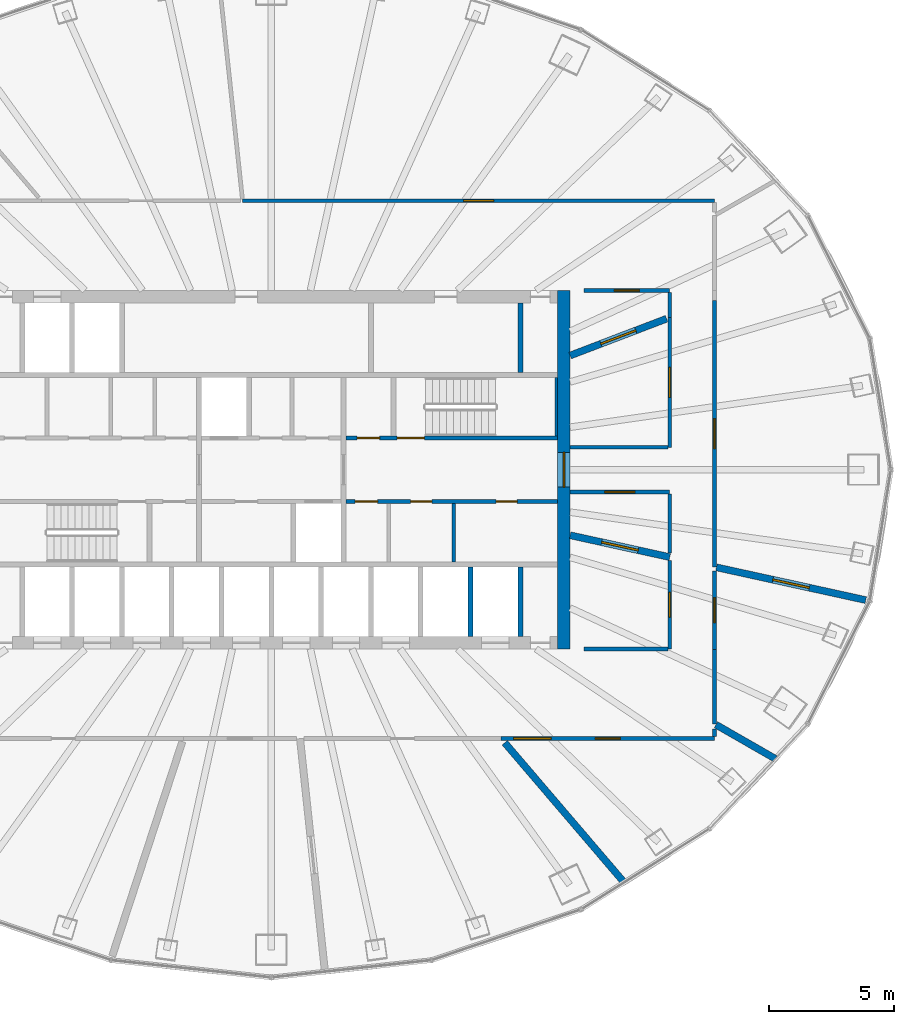
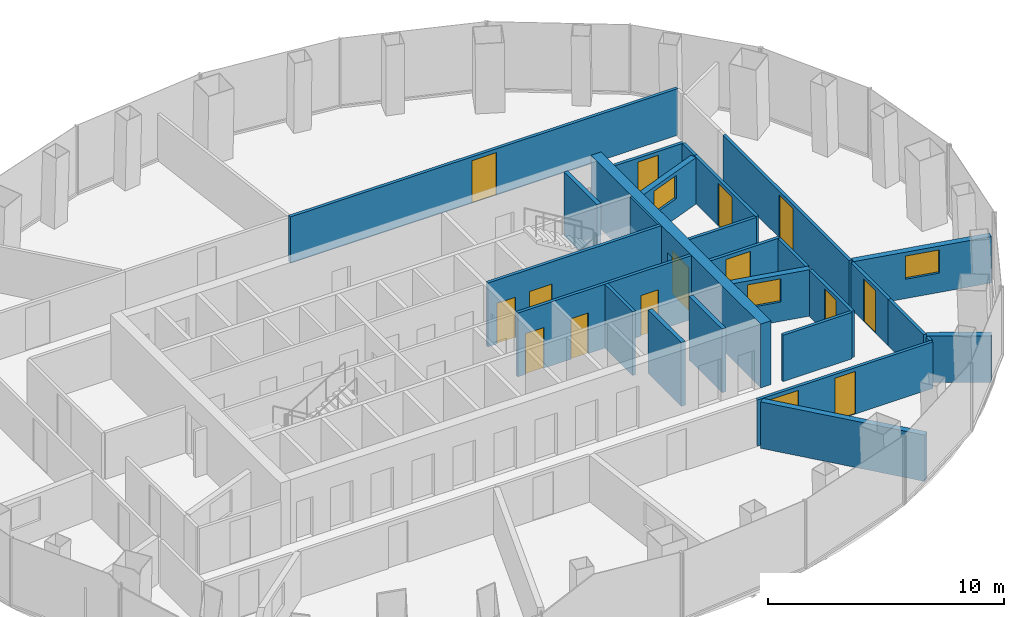
# One storey, part 10 of 12: 27 walls, 14 doors, 4 windows, 18 openings.
"""IFC4 building model written with IfcOpenShell, lengths in metres."""

import ifcopenshell
import ifcopenshell.guid

model = None  # the IFC model being written
_history = None  # IfcOwnerHistory: only IFC2X3 demands one
_inside = {}  # id of a spatial element -> (the spatial element, [elements in it])
_under = {}  # id of a project, library or spatial element -> (it, [spatial elements below it])
_declared = {}  # id of a project -> (the project, [libraries it declares])
_typed = {}  # id of a type object -> (the type object, [elements of that type])
_made_of = {}  # id of a material, layer set ... -> (it, [elements and type objects made of it])


def new_model(schema):
    """Start an empty IFC model of exactly this schema.

    Asked for "IFC4X3", IfcOpenShell would pick the latest addendum, in which some entities
    have other attributes; the version numbers below select the first issue.
    IFC2X3 requires an IfcOwnerHistory on every rooted entity: one is made here for all.
    """
    global model, _history
    if schema == "IFC4X3":
        model = ifcopenshell.file(schema_version=(4, 3, 0, 0))
    else:
        model = ifcopenshell.file(schema=schema)
    _inside.clear()
    _under.clear()
    _declared.clear()
    _typed.clear()
    _made_of.clear()
    _history = None
    if model.schema == "IFC2X3":
        org = make("IfcOrganization", Name="unknown")
        user = make(
            "IfcPersonAndOrganization",
            ThePerson=make("IfcPerson", FamilyName="unknown"),
            TheOrganization=org,
        )
        app = make(
            "IfcApplication",
            ApplicationDeveloper=org,
            Version="unknown",
            ApplicationFullName="unknown",
            ApplicationIdentifier="unknown",
        )
        _history = make(
            "IfcOwnerHistory",
            OwningUser=user,
            OwningApplication=app,
            ChangeAction="ADDED",
            CreationDate=0,
        )
    return model


def make(cls, **values):
    """One entity of the class cls with the attributes given. An attribute that is None is left unset."""
    return model.create_entity(
        cls, **{name: value for name, value in values.items() if value is not None}
    )


def rooted(cls, **values):
    """An entity with a GlobalId (a new one), such as an element, a storey or a relation."""
    return make(cls, GlobalId=ifcopenshell.guid.new(), OwnerHistory=_history, **values)


def si_unit(unit_type, name, prefix=None):
    """IfcSIUnit, for example si_unit("LENGTHUNIT", "METRE", prefix="MILLI")."""
    return make("IfcSIUnit", UnitType=unit_type, Prefix=prefix, Name=name)


def assignment(units):
    """IfcUnitAssignment: the units of a project."""
    return None if units is None else make("IfcUnitAssignment", Units=units)


def point(xyz):
    """IfcCartesianPoint."""
    return None if xyz is None else make("IfcCartesianPoint", Coordinates=xyz)


def direction(xyz):
    """IfcDirection."""
    return None if xyz is None else make("IfcDirection", DirectionRatios=xyz)


def frame(location, z_axis=None, x_axis=None):
    """IfcAxis2Placement3D, a coordinate frame: its origin and axes. An axis left out is left unset."""
    return make(
        "IfcAxis2Placement3D",
        Location=point(location),
        Axis=direction(z_axis),
        RefDirection=direction(x_axis),
    )


def frame_2d(location, x_axis=None):
    """IfcAxis2Placement2D, a coordinate frame in the plane: its origin and x axis."""
    return make(
        "IfcAxis2Placement2D", Location=point(location), RefDirection=direction(x_axis)
    )


def origin():
    """The frame at (0, 0, 0) with its axes left unset."""
    return frame((0.0, 0.0, 0.0))


def place(relative_to, where):
    """IfcLocalPlacement: puts the frame where relative to a parent placement (None: the world)."""
    return make(
        "IfcLocalPlacement", PlacementRelTo=relative_to, RelativePlacement=where
    )


def context(
    kind, dimensions, precision=None, world=None, true_north=None, identifier=None
):
    """IfcGeometricRepresentationContext, for example the 3D "Model" context."""
    return make(
        "IfcGeometricRepresentationContext",
        ContextIdentifier=identifier,
        ContextType=kind,
        CoordinateSpaceDimension=dimensions,
        Precision=precision,
        WorldCoordinateSystem=world,
        TrueNorth=true_north,
    )


def subcontext(parent, identifier, kind, view, scale=None):
    """IfcGeometricRepresentationSubContext, for example "Body" below "Model"."""
    return make(
        "IfcGeometricRepresentationSubContext",
        ContextIdentifier=identifier,
        ContextType=kind,
        ParentContext=parent,
        TargetScale=scale,
        TargetView=view,
    )


def project(units=None, contexts=None):
    """IfcProject with its units and contexts."""
    return rooted(
        "IfcProject",
        Name="project",
        RepresentationContexts=contexts,
        UnitsInContext=assignment(units),
    )


def spatial(cls, under=None, at=None, **own):
    """A site, building, storey or space (cls), placed at a placement, below another one or the project."""
    s = rooted(cls, ObjectPlacement=at, **own)
    if under is not None:
        _under.setdefault(under.id(), (under, []))[1].append(s)
    return s


def profile(cls, at=None, kind="AREA", **sizes):
    """A parametric profile (cls). Its sizes go by their IFC names, for example OverallWidth=200.0."""
    return make(cls, ProfileType=kind, Position=at, **sizes)


def rectangle(**sizes):
    """IfcRectangleProfileDef."""
    return profile("IfcRectangleProfileDef", **sizes)


def extrude(swept, where, along, depth):
    """IfcExtrudedAreaSolid: the profile swept, set in the frame where, extruded along a direction by depth."""
    return make(
        "IfcExtrudedAreaSolid",
        SweptArea=swept,
        Position=where,
        ExtrudedDirection=direction(along),
        Depth=depth,
    )


def shape(context_of_items, identifier, shape_type, items):
    """IfcShapeRepresentation: the items that make up one representation, for example the "Body"."""
    return make(
        "IfcShapeRepresentation",
        ContextOfItems=context_of_items,
        RepresentationIdentifier=identifier,
        RepresentationType=shape_type,
        Items=items,
    )


def material(Name=None, Category=None):
    """IfcMaterial."""
    return make("IfcMaterial", Name=Name, Category=Category)


def layer(
    of_material, thickness, ventilated=None, Name=None, Category=None, Priority=None
):
    """IfcMaterialLayer: one layer of a wall or slab, of a material (None: an air gap)."""
    return make(
        "IfcMaterialLayer",
        Material=of_material,
        LayerThickness=thickness,
        IsVentilated=ventilated,
        Name=Name,
        Category=Category,
        Priority=Priority,
    )


def layer_set(layers, Name=None):
    """IfcMaterialLayerSet."""
    return make("IfcMaterialLayerSet", MaterialLayers=layers, LayerSetName=Name)


def made_of(thing, what):
    """Note that an element or type object is made of a material, layer set ...; save() writes the relation."""
    if what is not None:
        _made_of.setdefault(what.id(), (what, []))[1].append(thing)
    return thing


def type_object(cls, material=None, **own):
    """A type object (cls), such as IfcWallType, which elements share."""
    return made_of(rooted(cls, **own), material)


def element(
    cls,
    number,
    at=None,
    inside=None,
    cuts=None,
    type_object=None,
    material=None,
    context=None,
    identifier="Body",
    shape_type=None,
    held_by="IfcProductDefinitionShape",
    body=None,
    shapes=None,
    **own,
):
    """One element of the class cls, such as IfcWall. Its Tag is "e" and its number.

    at: its placement. inside: the storey or other place that contains it. cuts: it is an
    opening in that element (IfcRelVoidsElement). A single representation is given by context,
    identifier, shape_type and body (its items); several are given by shapes. held_by: the class
    of the entity that holds the representations. save() writes the other relations.
    """
    e = rooted(cls, Tag="e%d" % number, ObjectPlacement=at, **own)
    if body is not None:
        shapes = [shape(context, identifier, shape_type, body)]
    if shapes is not None:
        e.Representation = make(held_by, Representations=shapes)
    if inside is not None:
        _inside.setdefault(inside.id(), (inside, []))[1].append(e)
    if cuts is not None:
        rooted(
            "IfcRelVoidsElement", RelatingBuildingElement=cuts, RelatedOpeningElement=e
        )
    if type_object is not None:
        _typed.setdefault(type_object.id(), (type_object, []))[1].append(e)
    return made_of(e, material)


def fill(opening, filler):
    """IfcRelFillsElement: the door or window that sits in an opening."""
    return rooted(
        "IfcRelFillsElement",
        RelatingOpeningElement=opening,
        RelatedBuildingElement=filler,
    )


def aggregate(whole, parts):
    """IfcRelAggregates: a whole, such as a stair, and the parts it consists of."""
    return rooted("IfcRelAggregates", RelatingObject=whole, RelatedObjects=parts)


def save(model, path):
    """Write the relations noted so far, then the file.

    IfcRelAggregates (storeys below a building ...), IfcRelContainedInSpatialStructure (elements
    in a storey), IfcRelDefinesByType, IfcRelAssociatesMaterial and IfcRelDeclares: one each for
    every whole, place, type object, material and project.
    """
    for whole, parts in _under.values():
        aggregate(whole, parts)
    for where, things in _inside.values():
        rooted(
            "IfcRelContainedInSpatialStructure",
            RelatedElements=things,
            RelatingStructure=where,
        )
    for kind, things in _typed.values():
        rooted("IfcRelDefinesByType", RelatedObjects=things, RelatingType=kind)
    for what, things in _made_of.values():
        rooted("IfcRelAssociatesMaterial", RelatedObjects=things, RelatingMaterial=what)
    for by, libraries in _declared.values():
        rooted("IfcRelDeclares", RelatingContext=by, RelatedDefinitions=libraries)
    model.write(path)


model = new_model("IFC4")

# Units and contexts
model_context = context("Model", 3, precision=1e-05, world=origin(), true_north=direction((0.0, 1.0)))
body_context = subcontext(model_context, "Body", "Model", "MODEL_VIEW")
ifc_project = project(units=[si_unit("LENGTHUNIT", "METRE"), si_unit("AREAUNIT", "SQUARE_METRE"), si_unit("VOLUMEUNIT", "CUBIC_METRE"), si_unit("PLANEANGLEUNIT", "RADIAN"), si_unit("MASSUNIT", "GRAM", prefix="KILO")], contexts=[model_context])

# Site, building, storey
site_placement = place(None, origin())
site = spatial("IfcSite", under=ifc_project, at=site_placement, CompositionType="ELEMENT")
building_placement = place(site_placement, origin())
building = spatial("IfcBuilding", under=site, at=building_placement, Name="Siaravel Broadcast Tower", CompositionType="ELEMENT")
storey_placement = place(building_placement, frame((0.0, 0.0, 134.10009765625)))
storey = spatial("IfcBuildingStorey", under=building, at=storey_placement, Name="L32", CompositionType="ELEMENT", Elevation=134.10009765625)

# Wall
ifc_material_1 = material(Name="Double-leaf acoustic partition", Category="gypsum")
ifc_layer_1 = layer(ifc_material_1, 0.280029296875)
ifc_layer_set_1 = layer_set([ifc_layer_1], Name="Double-leaf acoustic partition")
wall_type_1 = type_object("IfcWallType", Name="Acoustic double-leaf wall 280", PredefinedType="PARTITIONING", material=ifc_layer_set_1)
wall_1_placement = place(storey_placement, frame((14.166015625, -16.571533203125, 0.0), z_axis=(0.0, 0.0, 1.0), x_axis=(-0.649781766, 0.760120817, 0.0)))
element("IfcWall", 1, at=wall_1_placement, inside=storey, type_object=wall_type_1, Name="L32 partition 13", PredefinedType="PARTITIONING", context=body_context, shape_type="SweptSolid", body=[
    extrude(rectangle(XDim=7.37255859375, YDim=0.280029296875, at=frame_2d((3.686279296875, 0.0))), origin(), (0.0, 0.0, 1.0), 2.39990234375),
])

# Wall, opening, window
wall_2_placement = place(storey_placement, frame((23.8720703125, -5.2373046875, 0.0), z_axis=(0.0, 0.0, 1.0), x_axis=(-0.976758154, 0.214344371, 0.0)))
wall_2 = element("IfcWall", 2, at=wall_2_placement, inside=storey, type_object=wall_type_1, Name="L32 partition 16", PredefinedType="PARTITIONING", context=body_context, shape_type="SweptSolid", body=[
    extrude(rectangle(XDim=6.13916015625, YDim=0.280029296875, at=frame_2d((3.069580078125, 0.0))), origin(), (0.0, 0.0, 1.0), 2.39990234375),
])
opening_1_placement = place(wall_2_placement, frame((2.319580078125, 0.0, 1.0)))
opening_1 = element("IfcOpeningElement", 3, at=opening_1_placement, cuts=wall_2, Name="Opening L32-W07", PredefinedType="OPENING", context=body_context, shape_type="SweptSolid", body=[
    extrude(rectangle(XDim=1.5, YDim=1.199951171875, at=frame_2d((0.75, 0.60009765625))), frame((0.0, 0.14990234375, 0.0), z_axis=(0.0, -1.0, 0.0), x_axis=(1.0, 0.0, 0.0)), (0.0, 0.0, 1.0), 0.300048828125),
])
ifc_material_2 = material(Name="Laminated acoustic glass", Category="glass")
window_type = type_object("IfcWindowType", Name="Studio viewing window 1500", PartitioningType="SINGLE_PANEL", PredefinedType="WINDOW", material=ifc_material_2)
window_1_placement = place(opening_1_placement, origin())
window_1 = element("IfcWindow", 4, at=window_1_placement, inside=storey, type_object=window_type, Name="L32 viewing window to Viewing theatre", OverallHeight=1.199951171875, OverallWidth=1.5, PartitioningType="SINGLE_PANEL", PredefinedType="WINDOW", context=body_context, shape_type="SweptSolid", body=[
    extrude(rectangle(XDim=1.5, YDim=1.199951171875, at=frame_2d((0.75, 0.60009765625))), frame((0.0, 0.030029296875, 0.0), z_axis=(0.0, -1.0, 0.0), x_axis=(1.0, 0.0, 0.0)), (0.0, 0.0, 1.0), 0.06005859375),
])
fill(opening_1, window_1)

wall_3_placement = place(storey_placement, frame((15.873291015625, 6.06298828125, 0.0), z_axis=(0.0, 0.0, 1.0), x_axis=(-0.934170215, -0.356827703, 0.0)))
wall_3 = element("IfcWall", 5, at=wall_3_placement, inside=storey, type_object=wall_type_1, Name="L32 partition 25", PredefinedType="PARTITIONING", context=body_context, shape_type="SweptSolid", body=[
    extrude(rectangle(XDim=4.146240234375, YDim=0.280029296875, at=frame_2d((2.0732421875, 0.0))), origin(), (0.0, 0.0, 1.0), 2.39990234375),
])
opening_2_placement = place(wall_3_placement, frame((1.322998046875, 0.0, 1.0)))
opening_2 = element("IfcOpeningElement", 6, at=opening_2_placement, cuts=wall_3, Name="Opening L32-W08", PredefinedType="OPENING", context=body_context, shape_type="SweptSolid", body=[
    extrude(rectangle(XDim=1.5, YDim=1.199951171875, at=frame_2d((0.75, 0.60009765625))), frame((0.0, 0.14990234375, 0.0), z_axis=(0.0, -1.0, 0.0), x_axis=(1.0, 0.0, 0.0)), (0.0, 0.0, 1.0), 0.300048828125),
])
window_2_placement = place(opening_2_placement, origin())
window_2 = element("IfcWindow", 7, at=window_2_placement, inside=storey, type_object=window_type, Name="L32 viewing window to Post-production room", OverallHeight=1.199951171875, OverallWidth=1.5, PartitioningType="SINGLE_PANEL", PredefinedType="WINDOW", context=body_context, shape_type="SweptSolid", body=[
    extrude(rectangle(XDim=1.5, YDim=1.199951171875, at=frame_2d((0.75, 0.60009765625))), frame((0.0, 0.030029296875, 0.0), z_axis=(0.0, -1.0, 0.0), x_axis=(1.0, 0.0, 0.0)), (0.0, 0.0, 1.0), 0.06005859375),
])
fill(opening_2, window_2)

wall_4_placement = place(storey_placement, frame((16.0, -3.51171875, 0.0), z_axis=(0.0, 0.0, 1.0), x_axis=(-0.976750433, 0.214379551, 0.0)))
wall_4 = element("IfcWall", 8, at=wall_4_placement, inside=storey, type_object=wall_type_1, Name="L32 partition 26", PredefinedType="PARTITIONING", context=body_context, shape_type="SweptSolid", body=[
    extrude(rectangle(XDim=4.09521484375, YDim=0.280029296875, at=frame_2d((2.047607421875, 0.0))), origin(), (0.0, 0.0, 1.0), 2.39990234375),
])
opening_3_placement = place(wall_4_placement, frame((1.297607421875, 0.0, 1.0)))
opening_3 = element("IfcOpeningElement", 9, at=opening_3_placement, cuts=wall_4, Name="Opening L32-W06", PredefinedType="OPENING", context=body_context, shape_type="SweptSolid", body=[
    extrude(rectangle(XDim=1.5, YDim=1.199951171875, at=frame_2d((0.75, 0.60009765625))), frame((0.0, 0.14990234375, 0.0), z_axis=(0.0, -1.0, 0.0), x_axis=(1.0, 0.0, 0.0)), (0.0, 0.0, 1.0), 0.300048828125),
])
window_3_placement = place(opening_3_placement, origin())
window_3 = element("IfcWindow", 10, at=window_3_placement, inside=storey, type_object=window_type, Name="L32 viewing window to Viewing theatre", OverallHeight=1.199951171875, OverallWidth=1.5, PartitioningType="SINGLE_PANEL", PredefinedType="WINDOW", context=body_context, shape_type="SweptSolid", body=[
    extrude(rectangle(XDim=1.5, YDim=1.199951171875, at=frame_2d((0.75, 0.60009765625))), frame((0.0, 0.030029296875, 0.0), z_axis=(0.0, -1.0, 0.0), x_axis=(1.0, 0.0, 0.0)), (0.0, 0.0, 1.0), 0.06005859375),
])
fill(opening_3, window_3)

# Walls
wall_5_placement = place(storey_placement, frame((20.240234375, -11.60888671875, 0.0), z_axis=(0.0, 0.0, 1.0), x_axis=(-0.867454205, 0.497517037, 0.0)))
element("IfcWall", 11, at=wall_5_placement, inside=storey, type_object=wall_type_1, Name="L32 partition 41", PredefinedType="PARTITIONING", context=body_context, shape_type="SweptSolid", body=[
    extrude(rectangle(XDim=2.74609375, YDim=0.280029296875, at=frame_2d((1.373046875, 0.0))), origin(), (0.0, 0.0, 1.0), 2.39990234375),
])
ifc_material_3 = material(Name="Concrete blockwork", Category="masonry")
ifc_layer_2 = layer(ifc_material_3, 0.14990234375)
ifc_layer_set_2 = layer_set([ifc_layer_2], Name="Concrete blockwork")
wall_type_2 = type_object("IfcWallType", Name="Core partition 150", PredefinedType="PARTITIONING", material=ifc_layer_set_2)
wall_6_placement = place(storey_placement, frame((7.324951171875, -3.699951171875, 0.0), z_axis=(0.0, 0.0, 1.0), x_axis=(0.0, 1.0, 0.0)))
element("IfcWall", 12, at=wall_6_placement, inside=storey, type_object=wall_type_2, Name="L32 core partition PSE1", PredefinedType="PARTITIONING", context=body_context, shape_type="SweptSolid", body=[
    extrude(rectangle(XDim=2.349853515625, YDim=0.14990234375, at=frame_2d((1.1748046875, 0.0))), origin(), (0.0, 0.0, 1.0), 3.2998046875),
])

# Wall, opening, door
ifc_material_4 = material(Name="Concrete C60/75", Category="concrete")
ifc_layer_3 = layer(ifc_material_4, 0.5)
ifc_layer_set_3 = layer_set([ifc_layer_3], Name="Concrete C60/75")
wall_type_3 = type_object("IfcWallType", Name="Core wall 500", PredefinedType="SHEAR", material=ifc_layer_set_3)
wall_7_placement = place(storey_placement, frame((11.75, -7.199951171875, 0.0), z_axis=(0.0, 0.0, 1.0), x_axis=(0.0, 1.0, 0.0)))
wall_7 = element("IfcWall", 13, at=wall_7_placement, inside=storey, type_object=wall_type_3, Name="L32 core wall OE", PredefinedType="SHEAR", context=body_context, shape_type="SweptSolid", body=[
    extrude(rectangle(XDim=14.39990234375, YDim=0.5, at=frame_2d((7.199951171875, 0.0))), origin(), (0.0, 0.0, 1.0), 3.2998046875),
])
opening_4_placement = place(wall_7_placement, frame((6.5, 0.0, 0.0)))
opening_4 = element("IfcOpeningElement", 14, at=opening_4_placement, cuts=wall_7, Name="Opening L32-DX-E", PredefinedType="OPENING", context=body_context, shape_type="SweptSolid", body=[
    extrude(rectangle(XDim=1.39990234375, YDim=2.199951171875, at=frame_2d((0.699951171875, 1.10009765625))), frame((0.0, 0.260009765625, 0.0), z_axis=(0.0, -1.0, 0.0), x_axis=(1.0, 0.0, 0.0)), (0.0, 0.0, 1.0), 0.52001953125),
])
ifc_material_5 = material(Name="Steel", Category="steel")
door_type_1 = type_object("IfcDoorType", Name="Core exit door 1400", OperationType="DOUBLE_DOOR_SINGLE_SWING", PredefinedType="DOOR", material=ifc_material_5)
door_1_placement = place(opening_4_placement, origin())
door_1 = element("IfcDoor", 15, at=door_1_placement, inside=storey, type_object=door_type_1, Name="L32 door DX-E", OperationType="DOUBLE_DOOR_SINGLE_SWING", OverallHeight=2.199951171875, OverallWidth=1.39990234375, PredefinedType="DOOR", context=body_context, shape_type="SweptSolid", body=[
    extrude(rectangle(XDim=1.39990234375, YDim=2.199951171875, at=frame_2d((0.699951171875, 1.10009765625))), frame((0.0, 0.02490234375, 0.0), z_axis=(0.0, -1.0, 0.0), x_axis=(1.0, 0.0, 0.0)), (0.0, 0.0, 1.0), 0.050048828125),
])
fill(opening_4, door_1)

# Wall, openings, doors
ifc_material_6 = material(Name="Gypsum board partition", Category="gypsum")
ifc_layer_4 = layer(ifc_material_6, 0.14990234375)
ifc_layer_set_4 = layer_set([ifc_layer_4], Name="Gypsum board partition")
wall_type_4 = type_object("IfcWallType", Name="Corridor wall 150", PredefinedType="PARTITIONING", material=ifc_layer_set_4)
wall_8_placement = place(storey_placement, frame((3.0, -1.27490234375, 0.0), z_axis=(0.0, 0.0, 1.0), x_axis=(1.0, 0.0, 0.0)))
wall_8 = element("IfcWall", 16, at=wall_8_placement, inside=storey, type_object=wall_type_4, Name="L32 core partition CSE", PredefinedType="PARTITIONING", context=body_context, shape_type="SweptSolid", body=[
    extrude(rectangle(XDim=8.5, YDim=0.14990234375, at=frame_2d((4.25, 0.0))), origin(), (0.0, 0.0, 1.0), 3.2998046875),
])
opening_5_placement = place(wall_8_placement, frame((0.3701171875, 0.0, 0.0)))
opening_5 = element("IfcOpeningElement", 17, at=opening_5_placement, cuts=wall_8, Name="Opening L32-DSE0", PredefinedType="OPENING", context=body_context, shape_type="SweptSolid", body=[
    extrude(rectangle(XDim=0.89990234375, YDim=2.10009765625, at=frame_2d((0.449951171875, 1.050048828125))), frame((0.0, 0.0849609375, 0.0), z_axis=(0.0, -1.0, 0.0), x_axis=(1.0, 0.0, 0.0)), (0.0, 0.0, 1.0), 0.169921875),
])
opening_6_placement = place(wall_8_placement, frame((2.594970703125, 0.0, 0.0)))
opening_6 = element("IfcOpeningElement", 18, at=opening_6_placement, cuts=wall_8, Name="Opening L32-DSE1", PredefinedType="OPENING", context=body_context, shape_type="SweptSolid", body=[
    extrude(rectangle(XDim=0.85009765625, YDim=2.10009765625, at=frame_2d((0.425048828125, 1.050048828125))), frame((0.0, 0.0849609375, 0.0), z_axis=(0.0, -1.0, 0.0), x_axis=(1.0, 0.0, 0.0)), (0.0, 0.0, 1.0), 0.169921875),
])
opening_7_placement = place(wall_8_placement, frame((6.02490234375, 0.0, 0.0)))
opening_7 = element("IfcOpeningElement", 19, at=opening_7_placement, cuts=wall_8, Name="Opening L32-DSE2", PredefinedType="OPENING", context=body_context, shape_type="SweptSolid", body=[
    extrude(rectangle(XDim=0.85009765625, YDim=2.10009765625, at=frame_2d((0.425048828125, 1.050048828125))), frame((0.0, 0.0849609375, 0.0), z_axis=(0.0, -1.0, 0.0), x_axis=(1.0, 0.0, 0.0)), (0.0, 0.0, 1.0), 0.169921875),
])
ifc_material_7 = material(Name="Timber veneer", Category="wood")
door_type_2 = type_object("IfcDoorType", Name="Core room door 900", OperationType="SINGLE_SWING_LEFT", PredefinedType="DOOR", material=ifc_material_7)
door_2_placement = place(opening_5_placement, origin())
door_2 = element("IfcDoor", 20, at=door_2_placement, inside=storey, type_object=door_type_2, Name="L32 door DSE0", OperationType="SINGLE_SWING_LEFT", OverallHeight=2.10009765625, OverallWidth=0.89990234375, PredefinedType="DOOR", context=body_context, shape_type="SweptSolid", body=[
    extrude(rectangle(XDim=0.89990234375, YDim=2.10009765625, at=frame_2d((0.449951171875, 1.050048828125))), frame((0.0, 0.02490234375, 0.0), z_axis=(0.0, -1.0, 0.0), x_axis=(1.0, 0.0, 0.0)), (0.0, 0.0, 1.0), 0.050048828125),
])
fill(opening_5, door_2)
door_type_3 = type_object("IfcDoorType", Name="Core toilet door 850", OperationType="SINGLE_SWING_LEFT", PredefinedType="DOOR", material=ifc_material_7)
door_3_placement = place(opening_6_placement, origin())
door_3 = element("IfcDoor", 21, at=door_3_placement, inside=storey, type_object=door_type_3, Name="L32 door DSE1", OperationType="SINGLE_SWING_LEFT", OverallHeight=2.10009765625, OverallWidth=0.85009765625, PredefinedType="DOOR", context=body_context, shape_type="SweptSolid", body=[
    extrude(rectangle(XDim=0.85009765625, YDim=2.10009765625, at=frame_2d((0.425048828125, 1.050048828125))), frame((0.0, 0.02490234375, 0.0), z_axis=(0.0, -1.0, 0.0), x_axis=(1.0, 0.0, 0.0)), (0.0, 0.0, 1.0), 0.050048828125),
])
fill(opening_6, door_3)
door_4_placement = place(opening_7_placement, origin())
door_4 = element("IfcDoor", 22, at=door_4_placement, inside=storey, type_object=door_type_3, Name="L32 door DSE2", OperationType="SINGLE_SWING_LEFT", OverallHeight=2.10009765625, OverallWidth=0.85009765625, PredefinedType="DOOR", context=body_context, shape_type="SweptSolid", body=[
    extrude(rectangle(XDim=0.85009765625, YDim=2.10009765625, at=frame_2d((0.425048828125, 1.050048828125))), frame((0.0, 0.02490234375, 0.0), z_axis=(0.0, -1.0, 0.0), x_axis=(1.0, 0.0, 0.0)), (0.0, 0.0, 1.0), 0.050048828125),
])
fill(opening_7, door_4)

# Wall, opening, door
wall_9_placement = place(storey_placement, frame((17.800048828125, 10.800048828125, 0.0), z_axis=(0.0, 0.0, 1.0), x_axis=(-1.0, 0.0, 0.0)))
wall_9 = element("IfcWall", 23, at=wall_9_placement, inside=storey, type_object=wall_type_4, Name="L32 partition 1", PredefinedType="PARTITIONING", context=body_context, shape_type="SweptSolid", body=[
    extrude(rectangle(XDim=18.95361328125, YDim=0.14990234375, at=frame_2d((9.476806640625, 0.0))), origin(), (0.0, 0.0, 1.0), 2.39990234375),
])
opening_8_placement = place(wall_9_placement, frame((8.876708984375, 0.0, 0.0)))
opening_8 = element("IfcOpeningElement", 24, at=opening_8_placement, cuts=wall_9, Name="Opening L32-001", PredefinedType="OPENING", context=body_context, shape_type="SweptSolid", body=[
    extrude(rectangle(XDim=1.199951171875, YDim=2.199951171875, at=frame_2d((0.60009765625, 1.10009765625))), frame((0.0, 0.0849609375, 0.0), z_axis=(0.0, -1.0, 0.0), x_axis=(1.0, 0.0, 0.0)), (0.0, 0.0, 1.0), 0.169921875),
])
door_type_4 = type_object("IfcDoorType", Name="Office double door 1200", OperationType="DOUBLE_DOOR_SINGLE_SWING", PredefinedType="DOOR", material=ifc_material_7)
door_5_placement = place(opening_8_placement, origin())
door_5 = element("IfcDoor", 25, at=door_5_placement, inside=storey, type_object=door_type_4, Name="L32 door to Open plan production office", OperationType="DOUBLE_DOOR_SINGLE_SWING", OverallHeight=2.199951171875, OverallWidth=1.199951171875, PredefinedType="DOOR", context=body_context, shape_type="SweptSolid", body=[
    extrude(rectangle(XDim=1.199951171875, YDim=2.199951171875, at=frame_2d((0.60009765625, 1.10009765625))), frame((0.0, 0.02490234375, 0.0), z_axis=(0.0, -1.0, 0.0), x_axis=(1.0, 0.0, 0.0)), (0.0, 0.0, 1.0), 0.050048828125),
])
fill(opening_8, door_5)

wall_10_placement = place(storey_placement, frame((17.802001953125, -3.9052734375, 0.0), z_axis=(0.0, 0.0, 1.0), x_axis=(0.0, 1.0, 0.0)))
wall_10 = element("IfcWall", 26, at=wall_10_placement, inside=storey, type_object=wall_type_4, Name="L32 partition 2", PredefinedType="PARTITIONING", context=body_context, shape_type="SweptSolid", body=[
    extrude(rectangle(XDim=10.705078125, YDim=0.14990234375, at=frame_2d((5.3525390625, 0.0))), origin(), (0.0, 0.0, 1.0), 2.39990234375),
])
opening_9_placement = place(wall_10_placement, frame((4.75244140625, 0.0, 0.0)))
opening_9 = element("IfcOpeningElement", 27, at=opening_9_placement, cuts=wall_10, Name="Opening L32-018", PredefinedType="OPENING", context=body_context, shape_type="SweptSolid", body=[
    extrude(rectangle(XDim=1.199951171875, YDim=2.199951171875, at=frame_2d((0.60009765625, 1.10009765625))), frame((0.0, 0.0849609375, 0.0), z_axis=(0.0, -1.0, 0.0), x_axis=(1.0, 0.0, 0.0)), (0.0, 0.0, 1.0), 0.169921875),
])
door_6_placement = place(opening_9_placement, origin())
door_6 = element("IfcDoor", 28, at=door_6_placement, inside=storey, type_object=door_type_4, Name="L32 door to Open plan production office", OperationType="DOUBLE_DOOR_SINGLE_SWING", OverallHeight=2.199951171875, OverallWidth=1.199951171875, PredefinedType="DOOR", context=body_context, shape_type="SweptSolid", body=[
    extrude(rectangle(XDim=1.199951171875, YDim=2.199951171875, at=frame_2d((0.60009765625, 1.10009765625))), frame((0.0, 0.02490234375, 0.0), z_axis=(0.0, -1.0, 0.0), x_axis=(1.0, 0.0, 0.0)), (0.0, 0.0, 1.0), 0.050048828125),
])
fill(opening_9, door_6)

# Wall, openings, door, window
wall_11_placement = place(storey_placement, frame((9.232177734375, -10.800048828125, 0.0), z_axis=(0.0, 0.0, 1.0), x_axis=(1.0, 0.0, 0.0)))
wall_11 = element("IfcWall", 29, at=wall_11_placement, inside=storey, type_object=wall_type_4, Name="L32 partition 8", PredefinedType="PARTITIONING", context=body_context, shape_type="SweptSolid", body=[
    extrude(rectangle(XDim=8.56787109375, YDim=0.14990234375, at=frame_2d((4.283935546875, 0.0))), origin(), (0.0, 0.0, 1.0), 2.39990234375),
])
opening_10_placement = place(wall_11_placement, frame((3.783935546875, 0.0, 0.0)))
opening_10 = element("IfcOpeningElement", 30, at=opening_10_placement, cuts=wall_11, Name="Opening L32-013", PredefinedType="OPENING", context=body_context, shape_type="SweptSolid", body=[
    extrude(rectangle(XDim=1.0, YDim=2.199951171875, at=frame_2d((0.5, 1.10009765625))), frame((0.0, 0.0849609375, 0.0), z_axis=(0.0, -1.0, 0.0), x_axis=(1.0, 0.0, 0.0)), (0.0, 0.0, 1.0), 0.169921875),
])
opening_11_placement = place(wall_11_placement, frame((0.5, 0.0, 1.0)))
opening_11 = element("IfcOpeningElement", 31, at=opening_11_placement, cuts=wall_11, Name="Opening L32-W05", PredefinedType="OPENING", context=body_context, shape_type="SweptSolid", body=[
    extrude(rectangle(XDim=1.5, YDim=1.199951171875, at=frame_2d((0.75, 0.60009765625))), frame((0.0, 0.0849609375, 0.0), z_axis=(0.0, -1.0, 0.0), x_axis=(1.0, 0.0, 0.0)), (0.0, 0.0, 1.0), 0.169921875),
])
ifc_material_8 = material(Name="Acoustic timber and steel", Category="steel")
door_type_5 = type_object("IfcDoorType", Name="Acoustic door 1000", OperationType="SINGLE_SWING_LEFT", PredefinedType="DOOR", material=ifc_material_8)
door_7_placement = place(opening_10_placement, origin())
door_7 = element("IfcDoor", 32, at=door_7_placement, inside=storey, type_object=door_type_5, Name="L32 door to Post-production room", OperationType="SINGLE_SWING_LEFT", OverallHeight=2.199951171875, OverallWidth=1.0, PredefinedType="DOOR", context=body_context, shape_type="SweptSolid", body=[
    extrude(rectangle(XDim=1.0, YDim=2.199951171875, at=frame_2d((0.5, 1.10009765625))), frame((0.0, 0.02490234375, 0.0), z_axis=(0.0, -1.0, 0.0), x_axis=(1.0, 0.0, 0.0)), (0.0, 0.0, 1.0), 0.050048828125),
])
fill(opening_10, door_7)
window_4_placement = place(opening_11_placement, origin())
window_4 = element("IfcWindow", 33, at=window_4_placement, inside=storey, type_object=window_type, Name="L32 viewing window to Post-production room", OverallHeight=1.199951171875, OverallWidth=1.5, PartitioningType="SINGLE_PANEL", PredefinedType="WINDOW", context=body_context, shape_type="SweptSolid", body=[
    extrude(rectangle(XDim=1.5, YDim=1.199951171875, at=frame_2d((0.75, 0.60009765625))), frame((0.0, 0.030029296875, 0.0), z_axis=(0.0, -1.0, 0.0), x_axis=(1.0, 0.0, 0.0)), (0.0, 0.0, 1.0), 0.06005859375),
])
fill(opening_11, window_4)

# Wall, opening, door
wall_12_placement = place(storey_placement, frame((16.0, 6.111328125, 0.0), z_axis=(0.0, 0.0, 1.0), x_axis=(0.0, -1.0, 0.0)))
wall_12 = element("IfcWall", 34, at=wall_12_placement, inside=storey, type_object=wall_type_4, Name="L32 partition 19", PredefinedType="PARTITIONING", context=body_context, shape_type="SweptSolid", body=[
    extrude(rectangle(XDim=5.21142578125, YDim=0.14990234375, at=frame_2d((2.605712890625, 0.0))), origin(), (0.0, 0.0, 1.0), 2.39990234375),
])
opening_12_placement = place(wall_12_placement, frame((2.005615234375, 0.0, 0.0)))
opening_12 = element("IfcOpeningElement", 35, at=opening_12_placement, cuts=wall_12, Name="Opening L32-016", PredefinedType="OPENING", context=body_context, shape_type="SweptSolid", body=[
    extrude(rectangle(XDim=1.199951171875, YDim=2.199951171875, at=frame_2d((0.60009765625, 1.10009765625))), frame((0.0, 0.0849609375, 0.0), z_axis=(0.0, -1.0, 0.0), x_axis=(1.0, 0.0, 0.0)), (0.0, 0.0, 1.0), 0.169921875),
])
door_8_placement = place(opening_12_placement, origin())
door_8 = element("IfcDoor", 36, at=door_8_placement, inside=storey, type_object=door_type_4, Name="L32 door to Open plan production office", OperationType="DOUBLE_DOOR_SINGLE_SWING", OverallHeight=2.199951171875, OverallWidth=1.199951171875, PredefinedType="DOOR", context=body_context, shape_type="SweptSolid", body=[
    extrude(rectangle(XDim=1.199951171875, YDim=2.199951171875, at=frame_2d((0.60009765625, 1.10009765625))), frame((0.0, 0.02490234375, 0.0), z_axis=(0.0, -1.0, 0.0), x_axis=(1.0, 0.0, 0.0)), (0.0, 0.0, 1.0), 0.050048828125),
])
fill(opening_12, door_8)

wall_13_placement = place(storey_placement, frame((12.0, -0.89990234375, 0.0), z_axis=(0.0, 0.0, 1.0), x_axis=(1.0, 0.0, 0.0)))
wall_13 = element("IfcWall", 37, at=wall_13_placement, inside=storey, type_object=wall_type_4, Name="L32 partition 30", PredefinedType="PARTITIONING", context=body_context, shape_type="SweptSolid", body=[
    extrude(rectangle(XDim=4.0, YDim=0.14990234375, at=frame_2d((2.0, 0.0))), origin(), (0.0, 0.0, 1.0), 2.39990234375),
])
opening_13_placement = place(wall_13_placement, frame((1.39990234375, 0.0, 0.0)))
opening_13 = element("IfcOpeningElement", 38, at=opening_13_placement, cuts=wall_13, Name="Opening L32-017", PredefinedType="OPENING", context=body_context, shape_type="SweptSolid", body=[
    extrude(rectangle(XDim=1.199951171875, YDim=2.199951171875, at=frame_2d((0.60009765625, 1.10009765625))), frame((0.0, 0.0849609375, 0.0), z_axis=(0.0, -1.0, 0.0), x_axis=(1.0, 0.0, 0.0)), (0.0, 0.0, 1.0), 0.169921875),
])
door_9_placement = place(opening_13_placement, origin())
door_9 = element("IfcDoor", 39, at=door_9_placement, inside=storey, type_object=door_type_4, Name="L32 door to Open plan production office", OperationType="DOUBLE_DOOR_SINGLE_SWING", OverallHeight=2.199951171875, OverallWidth=1.199951171875, PredefinedType="DOOR", context=body_context, shape_type="SweptSolid", body=[
    extrude(rectangle(XDim=1.199951171875, YDim=2.199951171875, at=frame_2d((0.60009765625, 1.10009765625))), frame((0.0, 0.02490234375, 0.0), z_axis=(0.0, -1.0, 0.0), x_axis=(1.0, 0.0, 0.0)), (0.0, 0.0, 1.0), 0.050048828125),
])
fill(opening_13, door_9)

# Wall
wall_14_placement = place(storey_placement, frame((15.923095703125, 0.89990234375, 0.0), z_axis=(0.0, 0.0, 1.0), x_axis=(-1.0, 0.0, 0.0)))
element("IfcWall", 40, at=wall_14_placement, inside=storey, type_object=wall_type_4, Name="L32 partition 31", PredefinedType="PARTITIONING", context=body_context, shape_type="SweptSolid", body=[
    extrude(rectangle(XDim=3.923095703125, YDim=0.14990234375, at=frame_2d((1.96142578125, 0.0))), origin(), (0.0, 0.0, 1.0), 2.39990234375),
])

# Wall, opening, door
wall_15_placement = place(storey_placement, frame((16.0, -3.650390625, 0.0), z_axis=(0.0, 0.0, 1.0), x_axis=(0.0, -1.0, 0.0)))
wall_15 = element("IfcWall", 41, at=wall_15_placement, inside=storey, type_object=wall_type_4, Name="L32 partition 32", PredefinedType="PARTITIONING", context=body_context, shape_type="SweptSolid", body=[
    extrude(rectangle(XDim=3.549560546875, YDim=0.14990234375, at=frame_2d((1.77490234375, 0.0))), origin(), (0.0, 0.0, 1.0), 2.39990234375),
])
opening_14_placement = place(wall_15_placement, frame((1.27490234375, 0.0, 0.0)))
opening_14 = element("IfcOpeningElement", 42, at=opening_14_placement, cuts=wall_15, Name="Opening L32-014", PredefinedType="OPENING", context=body_context, shape_type="SweptSolid", body=[
    extrude(rectangle(XDim=1.0, YDim=2.199951171875, at=frame_2d((0.5, 1.10009765625))), frame((0.0, 0.0849609375, 0.0), z_axis=(0.0, -1.0, 0.0), x_axis=(1.0, 0.0, 0.0)), (0.0, 0.0, 1.0), 0.169921875),
])
door_10_placement = place(opening_14_placement, origin())
door_10 = element("IfcDoor", 43, at=door_10_placement, inside=storey, type_object=door_type_5, Name="L32 door to Viewing theatre", OperationType="SINGLE_SWING_RIGHT", OverallHeight=2.199951171875, OverallWidth=1.0, PredefinedType="DOOR", context=body_context, shape_type="SweptSolid", body=[
    extrude(rectangle(XDim=1.0, YDim=2.199951171875, at=frame_2d((0.5, 1.10009765625))), frame((0.0, 0.02490234375, 0.0), z_axis=(0.0, -1.0, 0.0), x_axis=(1.0, 0.0, 0.0)), (0.0, 0.0, 1.0), 0.050048828125),
])
fill(opening_14, door_10)

wall_16_placement = place(storey_placement, frame((12.553466796875, 7.199951171875, 0.0), z_axis=(0.0, 0.0, 1.0), x_axis=(1.0, 0.0, 0.0)))
wall_16 = element("IfcWall", 44, at=wall_16_placement, inside=storey, type_object=wall_type_4, Name="L32 partition 35", PredefinedType="PARTITIONING", context=body_context, shape_type="SweptSolid", body=[
    extrude(rectangle(XDim=3.446533203125, YDim=0.14990234375, at=frame_2d((1.72314453125, 0.0))), origin(), (0.0, 0.0, 1.0), 2.39990234375),
])
opening_15_placement = place(wall_16_placement, frame((1.223388671875, 0.0, 0.0)))
opening_15 = element("IfcOpeningElement", 45, at=opening_15_placement, cuts=wall_16, Name="Opening L32-019", PredefinedType="OPENING", context=body_context, shape_type="SweptSolid", body=[
    extrude(rectangle(XDim=1.0, YDim=2.199951171875, at=frame_2d((0.5, 1.10009765625))), frame((0.0, 0.0849609375, 0.0), z_axis=(0.0, -1.0, 0.0), x_axis=(1.0, 0.0, 0.0)), (0.0, 0.0, 1.0), 0.169921875),
])
door_11_placement = place(opening_15_placement, origin())
door_11 = element("IfcDoor", 46, at=door_11_placement, inside=storey, type_object=door_type_5, Name="L32 door to Post-production room", OperationType="SINGLE_SWING_LEFT", OverallHeight=2.199951171875, OverallWidth=1.0, PredefinedType="DOOR", context=body_context, shape_type="SweptSolid", body=[
    extrude(rectangle(XDim=1.0, YDim=2.199951171875, at=frame_2d((0.5, 1.10009765625))), frame((0.0, 0.02490234375, 0.0), z_axis=(0.0, -1.0, 0.0), x_axis=(1.0, 0.0, 0.0)), (0.0, 0.0, 1.0), 0.050048828125),
])
fill(opening_15, door_11)

# Wall
wall_17_placement = place(storey_placement, frame((15.923095703125, -7.199951171875, 0.0), z_axis=(0.0, 0.0, 1.0), x_axis=(-1.0, 0.0, 0.0)))
element("IfcWall", 47, at=wall_17_placement, inside=storey, type_object=wall_type_4, Name="L32 partition 36", PredefinedType="PARTITIONING", context=body_context, shape_type="SweptSolid", body=[
    extrude(rectangle(XDim=3.36962890625, YDim=0.14990234375, at=frame_2d((1.684814453125, 0.0))), origin(), (0.0, 0.0, 1.0), 2.39990234375),
])

# Wall, opening, door
wall_18_placement = place(storey_placement, frame((17.800048828125, -7.2119140625, 0.0), z_axis=(0.0, 0.0, 1.0), x_axis=(0.0, 1.0, 0.0)))
wall_18 = element("IfcWall", 48, at=wall_18_placement, inside=storey, type_object=wall_type_4, Name="L32 partition 37", PredefinedType="PARTITIONING", context=body_context, shape_type="SweptSolid", body=[
    extrude(rectangle(XDim=3.1455078125, YDim=0.14990234375, at=frame_2d((1.57275390625, 0.0))), origin(), (0.0, 0.0, 1.0), 2.39990234375),
])
opening_16_placement = place(wall_18_placement, frame((1.07275390625, 0.0, 0.0)))
opening_16 = element("IfcOpeningElement", 49, at=opening_16_placement, cuts=wall_18, Name="Opening L32-015", PredefinedType="OPENING", context=body_context, shape_type="SweptSolid", body=[
    extrude(rectangle(XDim=1.0, YDim=2.199951171875, at=frame_2d((0.5, 1.10009765625))), frame((0.0, 0.0849609375, 0.0), z_axis=(0.0, -1.0, 0.0), x_axis=(1.0, 0.0, 0.0)), (0.0, 0.0, 1.0), 0.169921875),
])
door_12_placement = place(opening_16_placement, origin())
door_12 = element("IfcDoor", 50, at=door_12_placement, inside=storey, type_object=door_type_5, Name="L32 door to Viewing theatre", OperationType="SINGLE_SWING_LEFT", OverallHeight=2.199951171875, OverallWidth=1.0, PredefinedType="DOOR", context=body_context, shape_type="SweptSolid", body=[
    extrude(rectangle(XDim=1.0, YDim=2.199951171875, at=frame_2d((0.5, 1.10009765625))), frame((0.0, 0.02490234375, 0.0), z_axis=(0.0, -1.0, 0.0), x_axis=(1.0, 0.0, 0.0)), (0.0, 0.0, 1.0), 0.050048828125),
])
fill(opening_16, door_12)

# Walls
wall_19_placement = place(storey_placement, frame((17.800048828125, -10.209228515625, 0.0), z_axis=(0.0, 0.0, 1.0), x_axis=(0.0, 1.0, 0.0)))
element("IfcWall", 51, at=wall_19_placement, inside=storey, type_object=wall_type_4, Name="L32 partition 38", PredefinedType="PARTITIONING", context=body_context, shape_type="SweptSolid", body=[
    extrude(rectangle(XDim=2.996337890625, YDim=0.14990234375, at=frame_2d((1.498046875, 0.0))), origin(), (0.0, 0.0, 1.0), 2.39990234375),
])
wall_20_placement = place(storey_placement, frame((16.0, -0.97705078125, 0.0), z_axis=(0.0, 0.0, 1.0), x_axis=(0.0, -1.0, 0.0)))
element("IfcWall", 52, at=wall_20_placement, inside=storey, type_object=wall_type_4, Name="L32 partition 42", PredefinedType="PARTITIONING", context=body_context, shape_type="SweptSolid", body=[
    extrude(rectangle(XDim=2.372802734375, YDim=0.14990234375, at=frame_2d((1.1865234375, 0.0))), origin(), (0.0, 0.0, 1.0), 2.39990234375),
])
wall_21_placement = place(storey_placement, frame((16.0, 7.123046875, 0.0), z_axis=(0.0, 0.0, 1.0), x_axis=(0.0, -1.0, 0.0)))
element("IfcWall", 53, at=wall_21_placement, inside=storey, type_object=wall_type_4, Name="L32 partition 44", PredefinedType="PARTITIONING", context=body_context, shape_type="SweptSolid", body=[
    extrude(rectangle(XDim=1.0107421875, YDim=0.14990234375, at=frame_2d((0.50537109375, 0.0))), origin(), (0.0, 0.0, 1.0), 2.39990234375),
])
wall_22_placement = place(storey_placement, frame((17.800048828125, -10.722900390625, 0.0), z_axis=(0.0, 0.0, 1.0), x_axis=(0.0, 1.0, 0.0)))
element("IfcWall", 54, at=wall_22_placement, inside=storey, type_object=wall_type_4, Name="L32 partition 45", PredefinedType="PARTITIONING", context=body_context, shape_type="SweptSolid", body=[
    extrude(rectangle(XDim=0.307373046875, YDim=0.14990234375, at=frame_2d((0.15380859375, 0.0))), origin(), (0.0, 0.0, 1.0), 2.39990234375),
])
ifc_layer_5 = layer(ifc_material_4, 0.10009765625)
ifc_layer_set_5 = layer_set([ifc_layer_5], Name="Concrete C60/75")
wall_type_5 = type_object("IfcWallType", Name="Shaft wall 100", PredefinedType="SHEAR", material=ifc_layer_set_5)
wall_23_placement = place(storey_placement, frame((11.449951171875, 1.35009765625, 0.0), z_axis=(0.0, 0.0, 1.0), x_axis=(0.0, 1.0, 0.0)))
element("IfcWall", 55, at=wall_23_placement, inside=storey, type_object=wall_type_5, Name="L32 core wall ST2E", PredefinedType="SHEAR", context=body_context, shape_type="SweptSolid", body=[
    extrude(rectangle(XDim=2.349853515625, YDim=0.10009765625, at=frame_2d((1.1748046875, 0.0))), origin(), (0.0, 0.0, 1.0), 3.2998046875),
])

# Wall, openings, doors
ifc_layer_6 = layer(ifc_material_4, 0.14990234375)
ifc_layer_set_6 = layer_set([ifc_layer_6], Name="Concrete C60/75")
wall_type_6 = type_object("IfcWallType", Name="Shaft wall 150", PredefinedType="SHEAR", material=ifc_layer_set_6)
wall_24_placement = place(storey_placement, frame((3.0, 1.27490234375, 0.0), z_axis=(0.0, 0.0, 1.0), x_axis=(1.0, 0.0, 0.0)))
wall_24 = element("IfcWall", 56, at=wall_24_placement, inside=storey, type_object=wall_type_6, Name="L32 core wall CNE", PredefinedType="SHEAR", context=body_context, shape_type="SweptSolid", body=[
    extrude(rectangle(XDim=8.5, YDim=0.14990234375, at=frame_2d((4.25, 0.0))), origin(), (0.0, 0.0, 1.0), 3.2998046875),
])
opening_17_placement = place(wall_24_placement, frame((2.050048828125, 0.0, 0.0)))
opening_17 = element("IfcOpeningElement", 57, at=opening_17_placement, cuts=wall_24, Name="Opening L32-DS-2", PredefinedType="OPENING", context=body_context, shape_type="SweptSolid", body=[
    extrude(rectangle(XDim=1.10009765625, YDim=2.14990234375, at=frame_2d((0.550048828125, 1.074951171875))), frame((0.0, 0.0849609375, 0.0), z_axis=(0.0, -1.0, 0.0), x_axis=(1.0, 0.0, 0.0)), (0.0, 0.0, 1.0), 0.169921875),
])
opening_18_placement = place(wall_24_placement, frame((0.449951171875, 0.0, 0.0)))
opening_18 = element("IfcOpeningElement", 58, at=opening_18_placement, cuts=wall_24, Name="Opening L32-DNE0", PredefinedType="OPENING", context=body_context, shape_type="SweptSolid", body=[
    extrude(rectangle(XDim=0.89990234375, YDim=2.10009765625, at=frame_2d((0.449951171875, 1.050048828125))), frame((0.0, 0.0849609375, 0.0), z_axis=(0.0, -1.0, 0.0), x_axis=(1.0, 0.0, 0.0)), (0.0, 0.0, 1.0), 0.169921875),
])
door_13_placement = place(opening_18_placement, origin())
door_13 = element("IfcDoor", 59, at=door_13_placement, inside=storey, type_object=door_type_2, Name="L32 door DNE0", OperationType="SINGLE_SWING_LEFT", OverallHeight=2.10009765625, OverallWidth=0.89990234375, PredefinedType="DOOR", context=body_context, shape_type="SweptSolid", body=[
    extrude(rectangle(XDim=0.89990234375, YDim=2.10009765625, at=frame_2d((0.449951171875, 1.050048828125))), frame((0.0, 0.02490234375, 0.0), z_axis=(0.0, -1.0, 0.0), x_axis=(1.0, 0.0, 0.0)), (0.0, 0.0, 1.0), 0.050048828125),
])
fill(opening_18, door_13)
door_type_6 = type_object("IfcDoorType", Name="Stair door 1100", OperationType="SINGLE_SWING_LEFT", PredefinedType="DOOR", material=ifc_material_5)
door_14_placement = place(opening_17_placement, origin())
door_14 = element("IfcDoor", 60, at=door_14_placement, inside=storey, type_object=door_type_6, Name="L32 door DS-2", OperationType="SINGLE_SWING_LEFT", OverallHeight=2.14990234375, OverallWidth=1.10009765625, PredefinedType="DOOR", context=body_context, shape_type="SweptSolid", body=[
    extrude(rectangle(XDim=1.10009765625, YDim=2.14990234375, at=frame_2d((0.550048828125, 1.074951171875))), frame((0.0, 0.02490234375, 0.0), z_axis=(0.0, -1.0, 0.0), x_axis=(1.0, 0.0, 0.0)), (0.0, 0.0, 1.0), 0.050048828125),
])
fill(opening_17, door_14)

# Walls
ifc_layer_7 = layer(ifc_material_4, 0.199951171875)
ifc_layer_set_7 = layer_set([ifc_layer_7], Name="Concrete C60/75")
wall_type_7 = type_object("IfcWallType", Name="Shaft wall 200", PredefinedType="SHEAR", material=ifc_layer_set_7)
for number, where, z_axis, x_axis, name in (
    (61, (8.0, -6.699951171875, 0.0), (0.0, 0.0, 1.0), (0.0, 1.0, 0.0), "L32 core wall SWS9"),
    (62, (10.0, -6.699951171875, 0.0), (0.0, 0.0, 1.0), (0.0, 1.0, 0.0), "L32 core wall SWS10"),
    (63, (10.0, 3.89990234375, 0.0), (0.0, 0.0, 1.0), (0.0, 1.0, 0.0), "L32 core wall SWN10"),
):
    element("IfcWall", number, at=place(storey_placement, frame(where, z_axis=z_axis, x_axis=x_axis)), inside=storey, type_object=wall_type_7, Name=name, PredefinedType="SHEAR", context=body_context, shape_type="SweptSolid", body=[
        extrude(rectangle(XDim=2.800048828125, YDim=0.199951171875, at=frame_2d((1.39990234375, 0.0))), origin(), (0.0, 0.0, 1.0), 3.2998046875),
    ])

save(model, "model.ifc")
